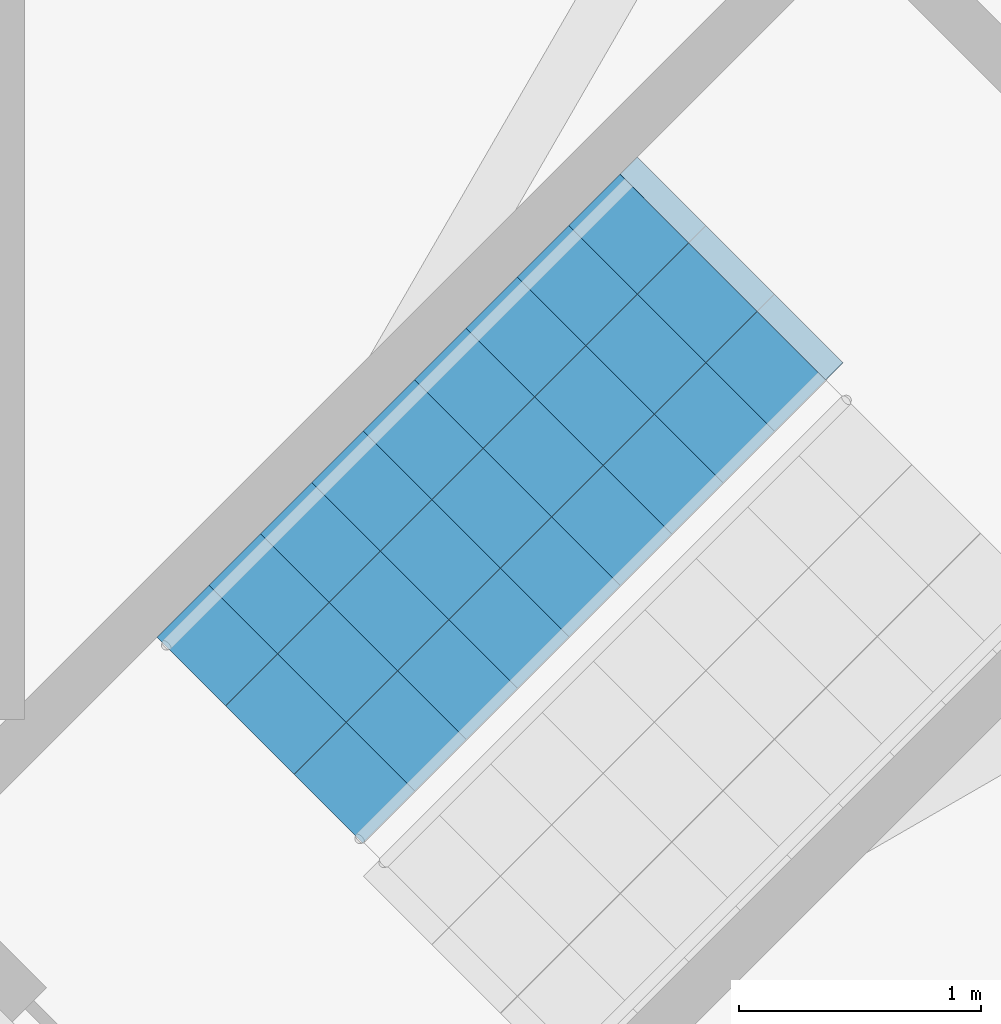
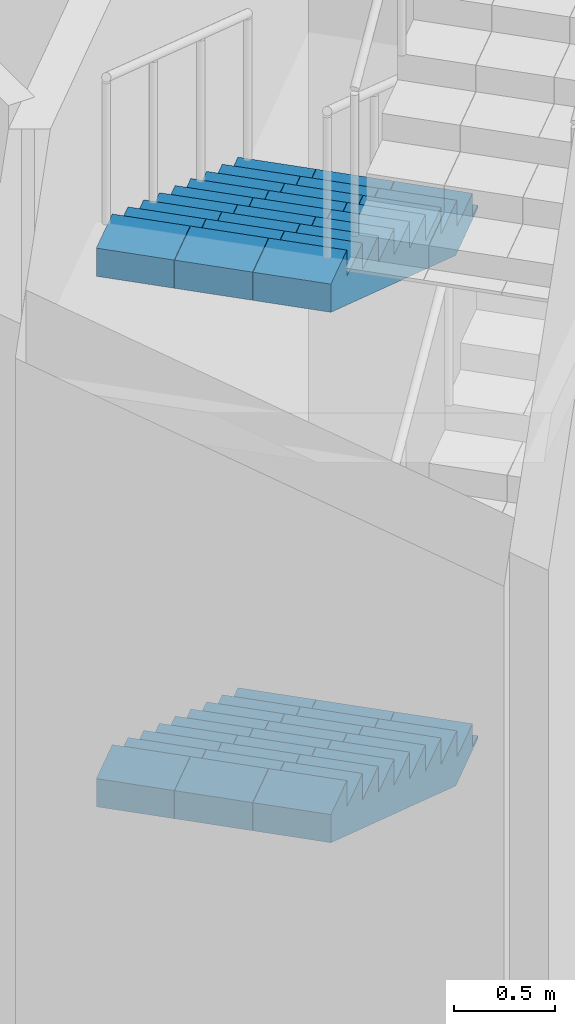
# One storey, part 5 of 7: 2 stair flights, 1 element without a shape of its own.
"""IFC4 building model written with IfcOpenShell, lengths in metres."""

import ifcopenshell
import ifcopenshell.guid

model = None  # the IFC model being written
_history = None  # IfcOwnerHistory: only IFC2X3 demands one
_inside = {}  # id of a spatial element -> (the spatial element, [elements in it])
_under = {}  # id of a project, library or spatial element -> (it, [spatial elements below it])
_declared = {}  # id of a project -> (the project, [libraries it declares])
_typed = {}  # id of a type object -> (the type object, [elements of that type])
_made_of = {}  # id of a material, layer set ... -> (it, [elements and type objects made of it])


def new_model(schema):
    """Start an empty IFC model of exactly this schema.

    Asked for "IFC4X3", IfcOpenShell would pick the latest addendum, in which some entities
    have other attributes; the version numbers below select the first issue.
    IFC2X3 requires an IfcOwnerHistory on every rooted entity: one is made here for all.
    """
    global model, _history
    if schema == "IFC4X3":
        model = ifcopenshell.file(schema_version=(4, 3, 0, 0))
    else:
        model = ifcopenshell.file(schema=schema)
    _inside.clear()
    _under.clear()
    _declared.clear()
    _typed.clear()
    _made_of.clear()
    _history = None
    if model.schema == "IFC2X3":
        org = make("IfcOrganization", Name="unknown")
        user = make(
            "IfcPersonAndOrganization",
            ThePerson=make("IfcPerson", FamilyName="unknown"),
            TheOrganization=org,
        )
        app = make(
            "IfcApplication",
            ApplicationDeveloper=org,
            Version="unknown",
            ApplicationFullName="unknown",
            ApplicationIdentifier="unknown",
        )
        _history = make(
            "IfcOwnerHistory",
            OwningUser=user,
            OwningApplication=app,
            ChangeAction="ADDED",
            CreationDate=0,
        )
    return model


def make(cls, **values):
    """One entity of the class cls with the attributes given. An attribute that is None is left unset."""
    return model.create_entity(
        cls, **{name: value for name, value in values.items() if value is not None}
    )


def rooted(cls, **values):
    """An entity with a GlobalId (a new one), such as an element, a storey or a relation."""
    return make(cls, GlobalId=ifcopenshell.guid.new(), OwnerHistory=_history, **values)


def si_unit(unit_type, name, prefix=None):
    """IfcSIUnit, for example si_unit("LENGTHUNIT", "METRE", prefix="MILLI")."""
    return make("IfcSIUnit", UnitType=unit_type, Prefix=prefix, Name=name)


def assignment(units):
    """IfcUnitAssignment: the units of a project."""
    return None if units is None else make("IfcUnitAssignment", Units=units)


def point(xyz):
    """IfcCartesianPoint."""
    return None if xyz is None else make("IfcCartesianPoint", Coordinates=xyz)


def direction(xyz):
    """IfcDirection."""
    return None if xyz is None else make("IfcDirection", DirectionRatios=xyz)


def frame(location, z_axis=None, x_axis=None):
    """IfcAxis2Placement3D, a coordinate frame: its origin and axes. An axis left out is left unset."""
    return make(
        "IfcAxis2Placement3D",
        Location=point(location),
        Axis=direction(z_axis),
        RefDirection=direction(x_axis),
    )


def origin():
    """The frame at (0, 0, 0) with its axes left unset."""
    return frame((0.0, 0.0, 0.0))


def place(relative_to, where):
    """IfcLocalPlacement: puts the frame where relative to a parent placement (None: the world)."""
    return make(
        "IfcLocalPlacement", PlacementRelTo=relative_to, RelativePlacement=where
    )


def context(
    kind, dimensions, precision=None, world=None, true_north=None, identifier=None
):
    """IfcGeometricRepresentationContext, for example the 3D "Model" context."""
    return make(
        "IfcGeometricRepresentationContext",
        ContextIdentifier=identifier,
        ContextType=kind,
        CoordinateSpaceDimension=dimensions,
        Precision=precision,
        WorldCoordinateSystem=world,
        TrueNorth=true_north,
    )


def subcontext(parent, identifier, kind, view, scale=None):
    """IfcGeometricRepresentationSubContext, for example "Body" below "Model"."""
    return make(
        "IfcGeometricRepresentationSubContext",
        ContextIdentifier=identifier,
        ContextType=kind,
        ParentContext=parent,
        TargetScale=scale,
        TargetView=view,
    )


def project(units=None, contexts=None):
    """IfcProject with its units and contexts."""
    return rooted(
        "IfcProject",
        Name="project",
        RepresentationContexts=contexts,
        UnitsInContext=assignment(units),
    )


def spatial(cls, under=None, at=None, **own):
    """A site, building, storey or space (cls), placed at a placement, below another one or the project."""
    s = rooted(cls, ObjectPlacement=at, **own)
    if under is not None:
        _under.setdefault(under.id(), (under, []))[1].append(s)
    return s


def polyline(points):
    """IfcPolyline through the points."""
    return make("IfcPolyline", Points=[point(p) for p in points])


def outline(outer, holes=None, kind="AREA"):
    """IfcArbitraryClosedProfileDef: a profile drawn as a closed curve; with holes, ...WithVoids."""
    if holes is None:
        return make("IfcArbitraryClosedProfileDef", ProfileType=kind, OuterCurve=outer)
    return make(
        "IfcArbitraryProfileDefWithVoids",
        ProfileType=kind,
        OuterCurve=outer,
        InnerCurves=holes,
    )


def extrude(swept, where, along, depth):
    """IfcExtrudedAreaSolid: the profile swept, set in the frame where, extruded along a direction by depth."""
    return make(
        "IfcExtrudedAreaSolid",
        SweptArea=swept,
        Position=where,
        ExtrudedDirection=direction(along),
        Depth=depth,
    )


def shape(context_of_items, identifier, shape_type, items):
    """IfcShapeRepresentation: the items that make up one representation, for example the "Body"."""
    return make(
        "IfcShapeRepresentation",
        ContextOfItems=context_of_items,
        RepresentationIdentifier=identifier,
        RepresentationType=shape_type,
        Items=items,
    )


def material(Name=None, Category=None):
    """IfcMaterial."""
    return make("IfcMaterial", Name=Name, Category=Category)


def made_of(thing, what):
    """Note that an element or type object is made of a material, layer set ...; save() writes the relation."""
    if what is not None:
        _made_of.setdefault(what.id(), (what, []))[1].append(thing)
    return thing


def type_object(cls, material=None, **own):
    """A type object (cls), such as IfcWallType, which elements share."""
    return made_of(rooted(cls, **own), material)


def element(
    cls,
    number,
    at=None,
    inside=None,
    cuts=None,
    type_object=None,
    material=None,
    context=None,
    identifier="Body",
    shape_type=None,
    held_by="IfcProductDefinitionShape",
    body=None,
    shapes=None,
    **own,
):
    """One element of the class cls, such as IfcWall. Its Tag is "e" and its number.

    at: its placement. inside: the storey or other place that contains it. cuts: it is an
    opening in that element (IfcRelVoidsElement). A single representation is given by context,
    identifier, shape_type and body (its items); several are given by shapes. held_by: the class
    of the entity that holds the representations. save() writes the other relations.
    """
    e = rooted(cls, Tag="e%d" % number, ObjectPlacement=at, **own)
    if body is not None:
        shapes = [shape(context, identifier, shape_type, body)]
    if shapes is not None:
        e.Representation = make(held_by, Representations=shapes)
    if inside is not None:
        _inside.setdefault(inside.id(), (inside, []))[1].append(e)
    if cuts is not None:
        rooted(
            "IfcRelVoidsElement", RelatingBuildingElement=cuts, RelatedOpeningElement=e
        )
    if type_object is not None:
        _typed.setdefault(type_object.id(), (type_object, []))[1].append(e)
    return made_of(e, material)


def aggregate(whole, parts):
    """IfcRelAggregates: a whole, such as a stair, and the parts it consists of."""
    return rooted("IfcRelAggregates", RelatingObject=whole, RelatedObjects=parts)


def save(model, path):
    """Write the relations noted so far, then the file.

    IfcRelAggregates (storeys below a building ...), IfcRelContainedInSpatialStructure (elements
    in a storey), IfcRelDefinesByType, IfcRelAssociatesMaterial and IfcRelDeclares: one each for
    every whole, place, type object, material and project.
    """
    for whole, parts in _under.values():
        aggregate(whole, parts)
    for where, things in _inside.values():
        rooted(
            "IfcRelContainedInSpatialStructure",
            RelatedElements=things,
            RelatingStructure=where,
        )
    for kind, things in _typed.values():
        rooted("IfcRelDefinesByType", RelatedObjects=things, RelatingType=kind)
    for what, things in _made_of.values():
        rooted("IfcRelAssociatesMaterial", RelatedObjects=things, RelatingMaterial=what)
    for by, libraries in _declared.values():
        rooted("IfcRelDeclares", RelatingContext=by, RelatedDefinitions=libraries)
    model.write(path)


model = new_model("IFC4")

# Units and contexts
model_context = context("Model", 3, precision=1e-05, world=origin(), true_north=direction((0.0, 1.0)))
body_context = subcontext(model_context, "Body", "Model", "MODEL_VIEW")
ifc_project = project(units=[si_unit("LENGTHUNIT", "METRE"), si_unit("AREAUNIT", "SQUARE_METRE"), si_unit("VOLUMEUNIT", "CUBIC_METRE"), si_unit("PLANEANGLEUNIT", "RADIAN"), si_unit("MASSUNIT", "GRAM", prefix="KILO")], contexts=[model_context])

# Site, building, storey
site_placement = place(None, origin())
site = spatial("IfcSite", under=ifc_project, at=site_placement, CompositionType="ELEMENT")
building_placement = place(site_placement, origin())
building = spatial("IfcBuilding", under=site, at=building_placement, Name="Triada Interchange Tower", CompositionType="ELEMENT")
storey_placement = place(building_placement, frame((0.0, 0.0, 327.800048828125)))
storey = spatial("IfcBuildingStorey", under=building, at=storey_placement, Name="Roof", CompositionType="ELEMENT", Elevation=327.800048828125)

# Stair, stair flights
ifc_material = material(Name="Concrete C35/45", Category="concrete")
stair_type = type_object("IfcStairType", Name="HALF TURN STAIR 1200", PredefinedType="HALF_TURN_STAIR", material=ifc_material)
stair_placement = place(storey_placement, origin())
stair = element("IfcStair", 1, at=stair_placement, inside=storey, type_object=stair_type, Name="Roof access stair RS1", PredefinedType="HALF_TURN_STAIR")
stair_flight_type = type_object("IfcStairFlightType", Name="STRAIGHT STAIR FLIGHT 1200", PredefinedType="STRAIGHT", material=ifc_material)
stair_flight_1_placement = place(storey_placement, frame((3.9599609375, 4.87890625, 1.599853515625), z_axis=(0.0, 0.0, 1.0), x_axis=(-0.707106781187, -0.707106781187, 0.0)))
stair_flight_1 = element("IfcStairFlight", 2, at=stair_flight_1_placement, type_object=stair_flight_type, Name="Roof access stair RS1 flight 2", NumberOfRisers=10, NumberOfTreads=9, PredefinedType="STRAIGHT", RiserHeight=0.16, TreadLength=0.3, context=body_context, shape_type="SweptSolid", body=[
    extrude(outline(polyline([(-0.10009765625, 0.0), (-0.10009765625, 0.02001953125), (0.0, 0.02001953125), (0.0, 0.159912109375), (0.300048828125, 0.159912109375), (0.300048828125, 0.320068359375), (0.60009765625, 0.320068359375), (0.60009765625, 0.47998046875), (0.89990234375, 0.47998046875), (0.89990234375, 0.639892578125), (1.199951171875, 0.639892578125), (1.199951171875, 0.800048828125), (1.5, 0.800048828125), (1.5, 0.9599609375), (1.800048828125, 0.9599609375), (1.800048828125, 1.1201171875), (2.10009765625, 1.1201171875), (2.10009765625, 1.280029296875), (2.39990234375, 1.280029296875), (2.39990234375, 1.43994140625), (2.699951171875, 1.43994140625), (2.7041015625, 1.43994140625), (2.7041015625, 1.60009765625), (2.7041015625, 1.27001953125), (0.318603515625, 0.0), (-0.10009765625, 0.0)])), frame((0.0, 0.60009765625, 0.0), z_axis=(0.0, -1.0, 0.0), x_axis=(1.0, 0.0, 0.0)), (0.0, 0.0, 1.0), 0.398681640625),
    extrude(outline(polyline([(-0.10009765625, 0.0), (-0.10009765625, 0.02001953125), (0.0, 0.02001953125), (0.0, 0.159912109375), (0.300048828125, 0.159912109375), (0.300048828125, 0.320068359375), (0.60009765625, 0.320068359375), (0.60009765625, 0.47998046875), (0.89990234375, 0.47998046875), (0.89990234375, 0.639892578125), (1.199951171875, 0.639892578125), (1.199951171875, 0.800048828125), (1.5, 0.800048828125), (1.5, 0.9599609375), (1.800048828125, 0.9599609375), (1.800048828125, 1.1201171875), (2.10009765625, 1.1201171875), (2.10009765625, 1.280029296875), (2.39990234375, 1.280029296875), (2.39990234375, 1.43994140625), (2.699951171875, 1.43994140625), (2.7041015625, 1.43994140625), (2.7041015625, 1.60009765625), (2.7041015625, 1.27001953125), (0.318603515625, 0.0), (-0.10009765625, 0.0)])), frame((0.0, 0.19921875, 0.0), z_axis=(0.0, -1.0, 0.0), x_axis=(1.0, 0.0, 0.0)), (0.0, 0.0, 1.0), 0.398681640625),
    extrude(outline(polyline([(-0.10009765625, 0.0), (-0.10009765625, 0.02001953125), (0.0, 0.02001953125), (0.0, 0.159912109375), (0.300048828125, 0.159912109375), (0.300048828125, 0.320068359375), (0.60009765625, 0.320068359375), (0.60009765625, 0.47998046875), (0.89990234375, 0.47998046875), (0.89990234375, 0.639892578125), (1.199951171875, 0.639892578125), (1.199951171875, 0.800048828125), (1.5, 0.800048828125), (1.5, 0.9599609375), (1.800048828125, 0.9599609375), (1.800048828125, 1.1201171875), (2.10009765625, 1.1201171875), (2.10009765625, 1.280029296875), (2.39990234375, 1.280029296875), (2.39990234375, 1.43994140625), (2.699951171875, 1.43994140625), (2.7041015625, 1.43994140625), (2.7041015625, 1.60009765625), (2.7041015625, 1.27001953125), (0.318603515625, 0.0), (-0.10009765625, 0.0)])), frame((0.0, -0.201416015625, 0.0), z_axis=(0.0, -1.0, 0.0), x_axis=(1.0, 0.0, 0.0)), (0.0, 0.0, 1.0), 0.398681640625),
])
stair_flight_2_placement = place(storey_placement, frame((3.9599609375, 4.87890625, 4.800048828125), z_axis=(0.0, 0.0, 1.0), x_axis=(-0.707106781187, -0.707106781187, 0.0)))
stair_flight_2 = element("IfcStairFlight", 3, at=stair_flight_2_placement, type_object=stair_flight_type, Name="Roof access stair RS1 flight 4", NumberOfRisers=10, NumberOfTreads=9, PredefinedType="STRAIGHT", RiserHeight=0.16, TreadLength=0.3, context=body_context, shape_type="SweptSolid", body=[
    extrude(outline(polyline([(-0.10009765625, 0.0), (-0.10009765625, 0.02001953125), (0.0, 0.02001953125), (0.0, 0.159912109375), (0.300048828125, 0.159912109375), (0.300048828125, 0.320068359375), (0.60009765625, 0.320068359375), (0.60009765625, 0.47998046875), (0.89990234375, 0.47998046875), (0.89990234375, 0.639892578125), (1.199951171875, 0.639892578125), (1.199951171875, 0.800048828125), (1.5, 0.800048828125), (1.5, 0.9599609375), (1.800048828125, 0.9599609375), (1.800048828125, 1.1201171875), (2.10009765625, 1.1201171875), (2.10009765625, 1.280029296875), (2.39990234375, 1.280029296875), (2.39990234375, 1.43994140625), (2.699951171875, 1.43994140625), (2.7041015625, 1.43994140625), (2.7041015625, 1.60009765625), (2.7041015625, 1.27001953125), (0.318603515625, 0.0), (-0.10009765625, 0.0)])), frame((0.0, 0.60009765625, 0.0), z_axis=(0.0, -1.0, 0.0), x_axis=(1.0, 0.0, 0.0)), (0.0, 0.0, 1.0), 0.398681640625),
    extrude(outline(polyline([(-0.10009765625, 0.0), (-0.10009765625, 0.02001953125), (0.0, 0.02001953125), (0.0, 0.159912109375), (0.300048828125, 0.159912109375), (0.300048828125, 0.320068359375), (0.60009765625, 0.320068359375), (0.60009765625, 0.47998046875), (0.89990234375, 0.47998046875), (0.89990234375, 0.639892578125), (1.199951171875, 0.639892578125), (1.199951171875, 0.800048828125), (1.5, 0.800048828125), (1.5, 0.9599609375), (1.800048828125, 0.9599609375), (1.800048828125, 1.1201171875), (2.10009765625, 1.1201171875), (2.10009765625, 1.280029296875), (2.39990234375, 1.280029296875), (2.39990234375, 1.43994140625), (2.699951171875, 1.43994140625), (2.7041015625, 1.43994140625), (2.7041015625, 1.60009765625), (2.7041015625, 1.27001953125), (0.318603515625, 0.0), (-0.10009765625, 0.0)])), frame((0.0, 0.19921875, 0.0), z_axis=(0.0, -1.0, 0.0), x_axis=(1.0, 0.0, 0.0)), (0.0, 0.0, 1.0), 0.398681640625),
    extrude(outline(polyline([(-0.10009765625, 0.0), (-0.10009765625, 0.02001953125), (0.0, 0.02001953125), (0.0, 0.159912109375), (0.300048828125, 0.159912109375), (0.300048828125, 0.320068359375), (0.60009765625, 0.320068359375), (0.60009765625, 0.47998046875), (0.89990234375, 0.47998046875), (0.89990234375, 0.639892578125), (1.199951171875, 0.639892578125), (1.199951171875, 0.800048828125), (1.5, 0.800048828125), (1.5, 0.9599609375), (1.800048828125, 0.9599609375), (1.800048828125, 1.1201171875), (2.10009765625, 1.1201171875), (2.10009765625, 1.280029296875), (2.39990234375, 1.280029296875), (2.39990234375, 1.43994140625), (2.699951171875, 1.43994140625), (2.7041015625, 1.43994140625), (2.7041015625, 1.60009765625), (2.7041015625, 1.27001953125), (0.318603515625, 0.0), (-0.10009765625, 0.0)])), frame((0.0, -0.201416015625, 0.0), z_axis=(0.0, -1.0, 0.0), x_axis=(1.0, 0.0, 0.0)), (0.0, 0.0, 1.0), 0.398681640625),
])
aggregate(stair, [stair_flight_1, stair_flight_2])

save(model, "model.ifc")
